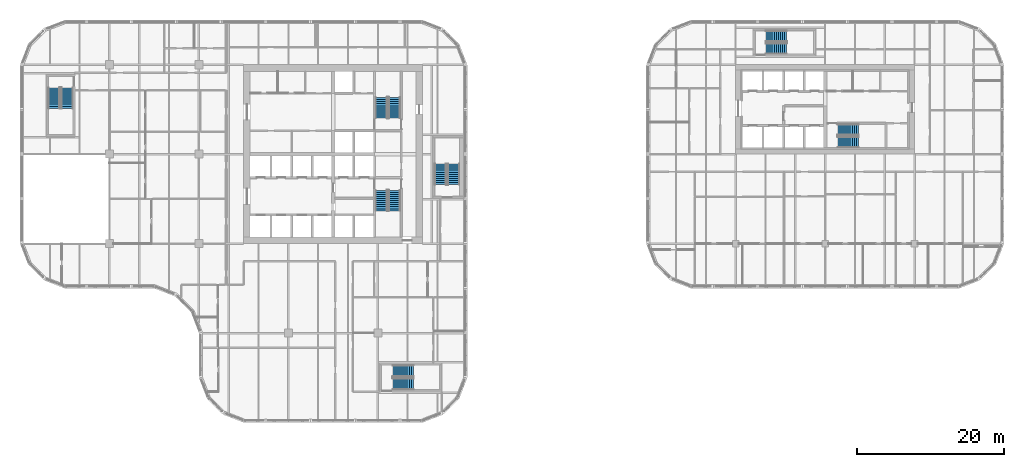
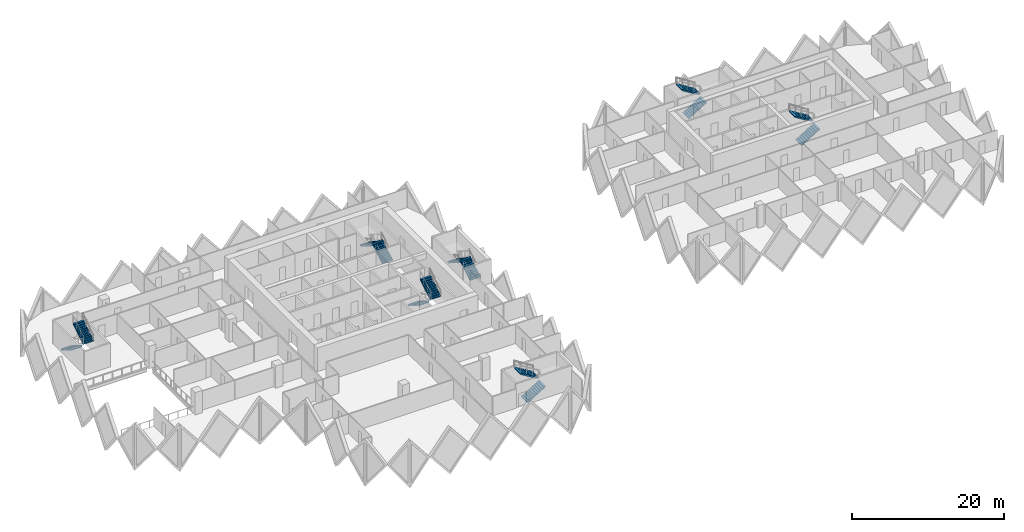
# One storey, part 17 of 19: 14 stair flights, 7 elements without a shape of their own.
"""IFC4 building model written with IfcOpenShell, lengths in metres."""

from ifc_helpers import new_model, si_unit, direction, frame, origin, place, context, subcontext, project, spatial, polyline, outline, extrude, material, type_object, element, aggregate, save


model = new_model("IFC4")

# Units and contexts
model_context = context("Model", 3, precision=1e-05, world=origin(), true_north=direction((0.0, 1.0)))
body_context = subcontext(model_context, "Body", "Model", "MODEL_VIEW")
ifc_project = project(units=[si_unit("LENGTHUNIT", "METRE"), si_unit("AREAUNIT", "SQUARE_METRE"), si_unit("VOLUMEUNIT", "CUBIC_METRE"), si_unit("PLANEANGLEUNIT", "RADIAN"), si_unit("MASSUNIT", "GRAM", prefix="KILO")], contexts=[model_context])

# Site, building, storey
site_placement = place(None, origin())
site = spatial("IfcSite", under=ifc_project, at=site_placement, CompositionType="ELEMENT")
building_placement = place(site_placement, origin())
building = spatial("IfcBuilding", under=site, at=building_placement, Name="Tessera Gate Towers", CompositionType="ELEMENT")
storey_placement = place(building_placement, frame((0.0, 0.0, 33.39990234375)))
storey = spatial("IfcBuildingStorey", under=building, at=storey_placement, Name="L07", CompositionType="ELEMENT", Elevation=33.39990234375)

# Stair, stair flights
ifc_material_1 = material(Name="Concrete C40/50", Category="concrete")
stair_type_1 = type_object("IfcStairType", Name="EXIT STAIR ST1 1600", PredefinedType="HALF_TURN_STAIR", material=ifc_material_1)
stair_1_placement = place(storey_placement, origin())
stair_1 = element("IfcStair", 1, at=stair_1_placement, inside=storey, type_object=stair_type_1, Name="L07 Protected Exit Stair ST1", PredefinedType="HALF_TURN_STAIR")
ifc_material_2 = material(Name="Concrete C40/50", Category="concrete")
stair_flight_type_1 = type_object("IfcStairFlightType", Name="EXIT STAIR FLIGHT ST1 1600", PredefinedType="STRAIGHT", material=ifc_material_2)
stair_flight_1_placement = place(storey_placement, frame((49.27490234375, 31.675048828125, 0.0), z_axis=(0.0, 0.0, 1.0), x_axis=(0.0, -1.0, 0.0)))
stair_flight_1 = element("IfcStairFlight", 2, at=stair_flight_1_placement, type_object=stair_flight_type_1, Name="ST1 flight 1", NumberOfRisers=11, NumberOfTreads=10, PredefinedType="STRAIGHT", RiserHeight=0.172727273, TreadLength=0.28, context=body_context, shape_type="SweptSolid", body=[
    extrude(outline(polyline([(0.0, 0.0), (0.0, 0.172607421875), (0.280029296875, 0.172607421875), (0.280029296875, 0.345458984375), (0.56005859375, 0.345458984375), (0.56005859375, 0.51806640625), (0.840087890625, 0.51806640625), (0.840087890625, 0.69091796875), (1.1201171875, 0.69091796875), (1.1201171875, 0.863525390625), (1.39990234375, 0.863525390625), (1.39990234375, 1.036376953125), (1.679931640625, 1.036376953125), (1.679931640625, 1.208984375), (1.9599609375, 1.208984375), (1.9599609375, 1.3818359375), (2.239990234375, 1.3818359375), (2.239990234375, 1.554443359375), (2.52001953125, 1.554443359375), (2.52001953125, 1.727294921875), (2.800048828125, 1.727294921875), (2.800048828125, 1.89990234375), (2.800048828125, 1.551025390625), (0.285400390625, 0.0), (0.0, 0.0)])), frame((0.0, 0.800048828125, 0.0), z_axis=(0.0, -1.0, 0.0), x_axis=(1.0, 0.0, 0.0)), (0.0, 0.0, 1.0), 1.60009765625),
])
stair_flight_2_placement = place(storey_placement, frame((51.074951171875, 28.875, 1.900146484375), z_axis=(0.0, 0.0, 1.0), x_axis=(0.0, 1.0, 0.0)))
stair_flight_2 = element("IfcStairFlight", 3, at=stair_flight_2_placement, type_object=stair_flight_type_1, Name="ST1 flight 2", NumberOfRisers=11, NumberOfTreads=10, PredefinedType="STRAIGHT", RiserHeight=0.172727273, TreadLength=0.28, context=body_context, shape_type="SweptSolid", body=[
    extrude(outline(polyline([(0.0, 0.0), (0.0, 0.172607421875), (0.280029296875, 0.172607421875), (0.280029296875, 0.345458984375), (0.56005859375, 0.345458984375), (0.56005859375, 0.51806640625), (0.840087890625, 0.51806640625), (0.840087890625, 0.69091796875), (1.1201171875, 0.69091796875), (1.1201171875, 0.863525390625), (1.39990234375, 0.863525390625), (1.39990234375, 1.036376953125), (1.679931640625, 1.036376953125), (1.679931640625, 1.208984375), (1.9599609375, 1.208984375), (1.9599609375, 1.3818359375), (2.239990234375, 1.3818359375), (2.239990234375, 1.554443359375), (2.52001953125, 1.554443359375), (2.52001953125, 1.727294921875), (2.800048828125, 1.727294921875), (2.800048828125, 1.89990234375), (2.800048828125, 1.551025390625), (0.285400390625, 0.0), (0.0, 0.0)])), frame((0.0, 0.800048828125, 0.0), z_axis=(0.0, -1.0, 0.0), x_axis=(1.0, 0.0, 0.0)), (0.0, 0.0, 1.0), 1.60009765625),
])
aggregate(stair_1, [stair_flight_1, stair_flight_2])

ifc_material_3 = material(Name="Concrete C40/50", Category="concrete")
stair_type_2 = type_object("IfcStairType", Name="EXIT STAIR ST2 1600", PredefinedType="HALF_TURN_STAIR", material=ifc_material_3)
stair_2_placement = place(storey_placement, origin())
stair_2 = element("IfcStair", 4, at=stair_2_placement, inside=storey, type_object=stair_type_2, Name="L07 Protected Exit Stair ST2", PredefinedType="HALF_TURN_STAIR")
ifc_material_4 = material(Name="Concrete C40/50", Category="concrete")
stair_flight_type_2 = type_object("IfcStairFlightType", Name="EXIT STAIR FLIGHT ST2 1600", PredefinedType="STRAIGHT", material=ifc_material_4)
stair_flight_3_placement = place(storey_placement, frame((51.074951171875, 41.52490234375, 0.0), z_axis=(0.0, 0.0, 1.0), x_axis=(0.0, 1.0, 0.0)))
stair_flight_3 = element("IfcStairFlight", 5, at=stair_flight_3_placement, type_object=stair_flight_type_2, Name="ST2 flight 1", NumberOfRisers=11, NumberOfTreads=10, PredefinedType="STRAIGHT", RiserHeight=0.172727273, TreadLength=0.28, context=body_context, shape_type="SweptSolid", body=[
    extrude(outline(polyline([(0.0, 0.0), (0.0, 0.172607421875), (0.280029296875, 0.172607421875), (0.280029296875, 0.345458984375), (0.56005859375, 0.345458984375), (0.56005859375, 0.51806640625), (0.840087890625, 0.51806640625), (0.840087890625, 0.69091796875), (1.1201171875, 0.69091796875), (1.1201171875, 0.863525390625), (1.39990234375, 0.863525390625), (1.39990234375, 1.036376953125), (1.679931640625, 1.036376953125), (1.679931640625, 1.208984375), (1.9599609375, 1.208984375), (1.9599609375, 1.3818359375), (2.239990234375, 1.3818359375), (2.239990234375, 1.554443359375), (2.52001953125, 1.554443359375), (2.52001953125, 1.727294921875), (2.800048828125, 1.727294921875), (2.800048828125, 1.89990234375), (2.800048828125, 1.551025390625), (0.285400390625, 0.0), (0.0, 0.0)])), frame((0.0, 0.800048828125, 0.0), z_axis=(0.0, -1.0, 0.0), x_axis=(1.0, 0.0, 0.0)), (0.0, 0.0, 1.0), 1.60009765625),
])
stair_flight_4_placement = place(storey_placement, frame((49.27490234375, 44.324951171875, 1.900146484375), z_axis=(0.0, 0.0, 1.0), x_axis=(0.0, -1.0, 0.0)))
stair_flight_4 = element("IfcStairFlight", 6, at=stair_flight_4_placement, type_object=stair_flight_type_2, Name="ST2 flight 2", NumberOfRisers=11, NumberOfTreads=10, PredefinedType="STRAIGHT", RiserHeight=0.172727273, TreadLength=0.28, context=body_context, shape_type="SweptSolid", body=[
    extrude(outline(polyline([(0.0, 0.0), (0.0, 0.172607421875), (0.280029296875, 0.172607421875), (0.280029296875, 0.345458984375), (0.56005859375, 0.345458984375), (0.56005859375, 0.51806640625), (0.840087890625, 0.51806640625), (0.840087890625, 0.69091796875), (1.1201171875, 0.69091796875), (1.1201171875, 0.863525390625), (1.39990234375, 0.863525390625), (1.39990234375, 1.036376953125), (1.679931640625, 1.036376953125), (1.679931640625, 1.208984375), (1.9599609375, 1.208984375), (1.9599609375, 1.3818359375), (2.239990234375, 1.3818359375), (2.239990234375, 1.554443359375), (2.52001953125, 1.554443359375), (2.52001953125, 1.727294921875), (2.800048828125, 1.727294921875), (2.800048828125, 1.89990234375), (2.800048828125, 1.551025390625), (0.285400390625, 0.0), (0.0, 0.0)])), frame((0.0, 0.800048828125, 0.0), z_axis=(0.0, -1.0, 0.0), x_axis=(1.0, 0.0, 0.0)), (0.0, 0.0, 1.0), 1.60009765625),
])
aggregate(stair_2, [stair_flight_3, stair_flight_4])

ifc_material_5 = material(Name="Concrete C40/50", Category="concrete")
stair_type_3 = type_object("IfcStairType", Name="EXIT STAIR ST3 1600", PredefinedType="HALF_TURN_STAIR", material=ifc_material_5)
stair_3_placement = place(storey_placement, origin())
stair_3 = element("IfcStair", 7, at=stair_3_placement, inside=storey, type_object=stair_type_3, Name="L07 West Exit Stair ST3", PredefinedType="HALF_TURN_STAIR")
ifc_material_6 = material(Name="Concrete C40/50", Category="concrete")
stair_flight_type_3 = type_object("IfcStairFlightType", Name="EXIT STAIR FLIGHT ST3 1600", PredefinedType="STRAIGHT", material=ifc_material_6)
stair_flight_5_placement = place(storey_placement, frame((4.64990234375, 45.64990234375, 0.0), z_axis=(0.0, 0.0, 1.0), x_axis=(0.0, -1.0, 0.0)))
stair_flight_5 = element("IfcStairFlight", 8, at=stair_flight_5_placement, type_object=stair_flight_type_3, Name="ST3 flight 1", NumberOfRisers=11, NumberOfTreads=10, PredefinedType="STRAIGHT", RiserHeight=0.172727273, TreadLength=0.28, context=body_context, shape_type="SweptSolid", body=[
    extrude(outline(polyline([(0.0, 0.0), (0.0, 0.172607421875), (0.280029296875, 0.172607421875), (0.280029296875, 0.345458984375), (0.56005859375, 0.345458984375), (0.56005859375, 0.51806640625), (0.840087890625, 0.51806640625), (0.840087890625, 0.69091796875), (1.1201171875, 0.69091796875), (1.1201171875, 0.863525390625), (1.39990234375, 0.863525390625), (1.39990234375, 1.036376953125), (1.679931640625, 1.036376953125), (1.679931640625, 1.208984375), (1.9599609375, 1.208984375), (1.9599609375, 1.3818359375), (2.239990234375, 1.3818359375), (2.239990234375, 1.554443359375), (2.52001953125, 1.554443359375), (2.52001953125, 1.727294921875), (2.800048828125, 1.727294921875), (2.800048828125, 1.89990234375), (2.800048828125, 1.551025390625), (0.285400390625, 0.0), (0.0, 0.0)])), frame((0.0, 0.800048828125, 0.0), z_axis=(0.0, -1.0, 0.0), x_axis=(1.0, 0.0, 0.0)), (0.0, 0.0, 1.0), 1.60009765625),
])
stair_flight_6_placement = place(storey_placement, frame((6.449951171875, 42.85009765625, 1.900146484375), z_axis=(0.0, 0.0, 1.0), x_axis=(0.0, 1.0, 0.0)))
stair_flight_6 = element("IfcStairFlight", 9, at=stair_flight_6_placement, type_object=stair_flight_type_3, Name="ST3 flight 2", NumberOfRisers=11, NumberOfTreads=10, PredefinedType="STRAIGHT", RiserHeight=0.172727273, TreadLength=0.28, context=body_context, shape_type="SweptSolid", body=[
    extrude(outline(polyline([(0.0, 0.0), (0.0, 0.172607421875), (0.280029296875, 0.172607421875), (0.280029296875, 0.345458984375), (0.56005859375, 0.345458984375), (0.56005859375, 0.51806640625), (0.840087890625, 0.51806640625), (0.840087890625, 0.69091796875), (1.1201171875, 0.69091796875), (1.1201171875, 0.863525390625), (1.39990234375, 0.863525390625), (1.39990234375, 1.036376953125), (1.679931640625, 1.036376953125), (1.679931640625, 1.208984375), (1.9599609375, 1.208984375), (1.9599609375, 1.3818359375), (2.239990234375, 1.3818359375), (2.239990234375, 1.554443359375), (2.52001953125, 1.554443359375), (2.52001953125, 1.727294921875), (2.800048828125, 1.727294921875), (2.800048828125, 1.89990234375), (2.800048828125, 1.551025390625), (0.285400390625, 0.0), (0.0, 0.0)])), frame((0.0, 0.800048828125, 0.0), z_axis=(0.0, -1.0, 0.0), x_axis=(1.0, 0.0, 0.0)), (0.0, 0.0, 1.0), 1.60009765625),
])
aggregate(stair_3, [stair_flight_5, stair_flight_6])

ifc_material_7 = material(Name="Concrete C40/50", Category="concrete")
stair_type_4 = type_object("IfcStairType", Name="EXIT STAIR ST4 1600", PredefinedType="HALF_TURN_STAIR", material=ifc_material_7)
stair_4_placement = place(storey_placement, origin())
stair_4 = element("IfcStair", 10, at=stair_4_placement, inside=storey, type_object=stair_type_4, Name="L07 South Exit Stair ST4", PredefinedType="HALF_TURN_STAIR")
ifc_material_8 = material(Name="Concrete C40/50", Category="concrete")
stair_flight_type_4 = type_object("IfcStairFlightType", Name="EXIT STAIR FLIGHT ST4 1600", PredefinedType="STRAIGHT", material=ifc_material_8)
stair_flight_7_placement = place(storey_placement, frame((50.85009765625, 5.25, 0.0), z_axis=(0.0, 0.0, 1.0), x_axis=(1.0, 0.0, 0.0)))
stair_flight_7 = element("IfcStairFlight", 11, at=stair_flight_7_placement, type_object=stair_flight_type_4, Name="ST4 flight 1", NumberOfRisers=11, NumberOfTreads=10, PredefinedType="STRAIGHT", RiserHeight=0.172727273, TreadLength=0.28, context=body_context, shape_type="SweptSolid", body=[
    extrude(outline(polyline([(0.0, 0.0), (0.0, 0.172607421875), (0.280029296875, 0.172607421875), (0.280029296875, 0.345458984375), (0.56005859375, 0.345458984375), (0.56005859375, 0.51806640625), (0.840087890625, 0.51806640625), (0.840087890625, 0.69091796875), (1.1201171875, 0.69091796875), (1.1201171875, 0.863525390625), (1.39990234375, 0.863525390625), (1.39990234375, 1.036376953125), (1.679931640625, 1.036376953125), (1.679931640625, 1.208984375), (1.9599609375, 1.208984375), (1.9599609375, 1.3818359375), (2.239990234375, 1.3818359375), (2.239990234375, 1.554443359375), (2.52001953125, 1.554443359375), (2.52001953125, 1.727294921875), (2.800048828125, 1.727294921875), (2.800048828125, 1.89990234375), (2.800048828125, 1.551025390625), (0.285400390625, 0.0), (0.0, 0.0)])), frame((0.0, 0.800048828125, 0.0), z_axis=(0.0, -1.0, 0.0), x_axis=(1.0, 0.0, 0.0)), (0.0, 0.0, 1.0), 1.60009765625),
])
stair_flight_8_placement = place(storey_placement, frame((53.64990234375, 7.050048828125, 1.900146484375), z_axis=(0.0, 0.0, 1.0), x_axis=(-1.0, 0.0, 0.0)))
stair_flight_8 = element("IfcStairFlight", 12, at=stair_flight_8_placement, type_object=stair_flight_type_4, Name="ST4 flight 2", NumberOfRisers=11, NumberOfTreads=10, PredefinedType="STRAIGHT", RiserHeight=0.172727273, TreadLength=0.28, context=body_context, shape_type="SweptSolid", body=[
    extrude(outline(polyline([(0.0, 0.0), (0.0, 0.172607421875), (0.280029296875, 0.172607421875), (0.280029296875, 0.345458984375), (0.56005859375, 0.345458984375), (0.56005859375, 0.51806640625), (0.840087890625, 0.51806640625), (0.840087890625, 0.69091796875), (1.1201171875, 0.69091796875), (1.1201171875, 0.863525390625), (1.39990234375, 0.863525390625), (1.39990234375, 1.036376953125), (1.679931640625, 1.036376953125), (1.679931640625, 1.208984375), (1.9599609375, 1.208984375), (1.9599609375, 1.3818359375), (2.239990234375, 1.3818359375), (2.239990234375, 1.554443359375), (2.52001953125, 1.554443359375), (2.52001953125, 1.727294921875), (2.800048828125, 1.727294921875), (2.800048828125, 1.89990234375), (2.800048828125, 1.551025390625), (0.285400390625, 0.0), (0.0, 0.0)])), frame((0.0, 0.800048828125, 0.0), z_axis=(0.0, -1.0, 0.0), x_axis=(1.0, 0.0, 0.0)), (0.0, 0.0, 1.0), 1.60009765625),
])
aggregate(stair_4, [stair_flight_7, stair_flight_8])

ifc_material_9 = material(Name="Concrete C40/50", Category="concrete")
stair_type_5 = type_object("IfcStairType", Name="EXIT STAIR ST5 1600", PredefinedType="HALF_TURN_STAIR", material=ifc_material_9)
stair_5_placement = place(storey_placement, origin())
stair_5 = element("IfcStair", 13, at=stair_5_placement, inside=storey, type_object=stair_type_5, Name="L07 East Exit Stair ST5", PredefinedType="HALF_TURN_STAIR")
ifc_material_10 = material(Name="Concrete C40/50", Category="concrete")
stair_flight_type_5 = type_object("IfcStairFlightType", Name="EXIT STAIR FLIGHT ST5 1600", PredefinedType="STRAIGHT", material=ifc_material_10)
stair_flight_9_placement = place(storey_placement, frame((59.14990234375, 32.449951171875, 0.0), z_axis=(0.0, 0.0, 1.0), x_axis=(0.0, 1.0, 0.0)))
stair_flight_9 = element("IfcStairFlight", 14, at=stair_flight_9_placement, type_object=stair_flight_type_5, Name="ST5 flight 1", NumberOfRisers=11, NumberOfTreads=10, PredefinedType="STRAIGHT", RiserHeight=0.172727273, TreadLength=0.28, context=body_context, shape_type="SweptSolid", body=[
    extrude(outline(polyline([(0.0, 0.0), (0.0, 0.172607421875), (0.280029296875, 0.172607421875), (0.280029296875, 0.345458984375), (0.56005859375, 0.345458984375), (0.56005859375, 0.51806640625), (0.840087890625, 0.51806640625), (0.840087890625, 0.69091796875), (1.1201171875, 0.69091796875), (1.1201171875, 0.863525390625), (1.39990234375, 0.863525390625), (1.39990234375, 1.036376953125), (1.679931640625, 1.036376953125), (1.679931640625, 1.208984375), (1.9599609375, 1.208984375), (1.9599609375, 1.3818359375), (2.239990234375, 1.3818359375), (2.239990234375, 1.554443359375), (2.52001953125, 1.554443359375), (2.52001953125, 1.727294921875), (2.800048828125, 1.727294921875), (2.800048828125, 1.89990234375), (2.800048828125, 1.551025390625), (0.285400390625, 0.0), (0.0, 0.0)])), frame((0.0, 0.800048828125, 0.0), z_axis=(0.0, -1.0, 0.0), x_axis=(1.0, 0.0, 0.0)), (0.0, 0.0, 1.0), 1.60009765625),
])
stair_flight_10_placement = place(storey_placement, frame((57.35009765625, 35.25, 1.900146484375), z_axis=(0.0, 0.0, 1.0), x_axis=(0.0, -1.0, 0.0)))
stair_flight_10 = element("IfcStairFlight", 15, at=stair_flight_10_placement, type_object=stair_flight_type_5, Name="ST5 flight 2", NumberOfRisers=11, NumberOfTreads=10, PredefinedType="STRAIGHT", RiserHeight=0.172727273, TreadLength=0.28, context=body_context, shape_type="SweptSolid", body=[
    extrude(outline(polyline([(0.0, 0.0), (0.0, 0.172607421875), (0.280029296875, 0.172607421875), (0.280029296875, 0.345458984375), (0.56005859375, 0.345458984375), (0.56005859375, 0.51806640625), (0.840087890625, 0.51806640625), (0.840087890625, 0.69091796875), (1.1201171875, 0.69091796875), (1.1201171875, 0.863525390625), (1.39990234375, 0.863525390625), (1.39990234375, 1.036376953125), (1.679931640625, 1.036376953125), (1.679931640625, 1.208984375), (1.9599609375, 1.208984375), (1.9599609375, 1.3818359375), (2.239990234375, 1.3818359375), (2.239990234375, 1.554443359375), (2.52001953125, 1.554443359375), (2.52001953125, 1.727294921875), (2.800048828125, 1.727294921875), (2.800048828125, 1.89990234375), (2.800048828125, 1.551025390625), (0.285400390625, 0.0), (0.0, 0.0)])), frame((0.0, 0.800048828125, 0.0), z_axis=(0.0, -1.0, 0.0), x_axis=(1.0, 0.0, 0.0)), (0.0, 0.0, 1.0), 1.60009765625),
])
aggregate(stair_5, [stair_flight_9, stair_flight_10])

ifc_material_11 = material(Name="Concrete C40/50", Category="concrete")
stair_type_6 = type_object("IfcStairType", Name="EXIT STAIR ST6 1500", PredefinedType="HALF_TURN_STAIR", material=ifc_material_11)
stair_6_placement = place(storey_placement, origin())
stair_6 = element("IfcStair", 16, at=stair_6_placement, inside=storey, type_object=stair_type_6, Name="L07 Protected Exit Stair ST6", PredefinedType="HALF_TURN_STAIR")
ifc_material_12 = material(Name="Concrete C40/50", Category="concrete")
stair_flight_type_6 = type_object("IfcStairFlightType", Name="EXIT STAIR FLIGHT ST6 1500", PredefinedType="STRAIGHT", material=ifc_material_12)
stair_flight_11_placement = place(storey_placement, frame((111.550048828125, 38.25, 0.0), z_axis=(0.0, 0.0, 1.0), x_axis=(1.0, 0.0, 0.0)))
stair_flight_11 = element("IfcStairFlight", 17, at=stair_flight_11_placement, type_object=stair_flight_type_6, Name="ST6 flight 1", NumberOfRisers=11, NumberOfTreads=10, PredefinedType="STRAIGHT", RiserHeight=0.172727273, TreadLength=0.28, context=body_context, shape_type="SweptSolid", body=[
    extrude(outline(polyline([(0.0, 0.0), (0.0, 0.172607421875), (0.280029296875, 0.172607421875), (0.280029296875, 0.345458984375), (0.56005859375, 0.345458984375), (0.56005859375, 0.51806640625), (0.840087890625, 0.51806640625), (0.840087890625, 0.69091796875), (1.1201171875, 0.69091796875), (1.1201171875, 0.863525390625), (1.39990234375, 0.863525390625), (1.39990234375, 1.036376953125), (1.679931640625, 1.036376953125), (1.679931640625, 1.208984375), (1.9599609375, 1.208984375), (1.9599609375, 1.3818359375), (2.239990234375, 1.3818359375), (2.239990234375, 1.554443359375), (2.52001953125, 1.554443359375), (2.52001953125, 1.727294921875), (2.800048828125, 1.727294921875), (2.800048828125, 1.89990234375), (2.800048828125, 1.551025390625), (0.285400390625, 0.0), (0.0, 0.0)])), frame((0.0, 0.75, 0.0), z_axis=(0.0, -1.0, 0.0), x_axis=(1.0, 0.0, 0.0)), (0.0, 0.0, 1.0), 1.5),
])
stair_flight_12_placement = place(storey_placement, frame((114.35009765625, 39.949951171875, 1.900146484375), z_axis=(0.0, 0.0, 1.0), x_axis=(-1.0, 0.0, 0.0)))
stair_flight_12 = element("IfcStairFlight", 18, at=stair_flight_12_placement, type_object=stair_flight_type_6, Name="ST6 flight 2", NumberOfRisers=11, NumberOfTreads=10, PredefinedType="STRAIGHT", RiserHeight=0.172727273, TreadLength=0.28, context=body_context, shape_type="SweptSolid", body=[
    extrude(outline(polyline([(0.0, 0.0), (0.0, 0.172607421875), (0.280029296875, 0.172607421875), (0.280029296875, 0.345458984375), (0.56005859375, 0.345458984375), (0.56005859375, 0.51806640625), (0.840087890625, 0.51806640625), (0.840087890625, 0.69091796875), (1.1201171875, 0.69091796875), (1.1201171875, 0.863525390625), (1.39990234375, 0.863525390625), (1.39990234375, 1.036376953125), (1.679931640625, 1.036376953125), (1.679931640625, 1.208984375), (1.9599609375, 1.208984375), (1.9599609375, 1.3818359375), (2.239990234375, 1.3818359375), (2.239990234375, 1.554443359375), (2.52001953125, 1.554443359375), (2.52001953125, 1.727294921875), (2.800048828125, 1.727294921875), (2.800048828125, 1.89990234375), (2.800048828125, 1.551025390625), (0.285400390625, 0.0), (0.0, 0.0)])), frame((0.0, 0.75, 0.0), z_axis=(0.0, -1.0, 0.0), x_axis=(1.0, 0.0, 0.0)), (0.0, 0.0, 1.0), 1.5),
])
aggregate(stair_6, [stair_flight_11, stair_flight_12])

ifc_material_13 = material(Name="Concrete C40/50", Category="concrete")
stair_type_7 = type_object("IfcStairType", Name="EXIT STAIR ST7 1500", PredefinedType="HALF_TURN_STAIR", material=ifc_material_13)
stair_7_placement = place(storey_placement, origin())
stair_7 = element("IfcStair", 19, at=stair_7_placement, inside=storey, type_object=stair_type_7, Name="L07 North Exit Stair ST7", PredefinedType="HALF_TURN_STAIR")
ifc_material_14 = material(Name="Concrete C40/50", Category="concrete")
stair_flight_type_7 = type_object("IfcStairFlightType", Name="EXIT STAIR FLIGHT ST7 1500", PredefinedType="STRAIGHT", material=ifc_material_14)
stair_flight_13_placement = place(storey_placement, frame((101.75, 51.0, 0.0), z_axis=(0.0, 0.0, 1.0), x_axis=(1.0, 0.0, 0.0)))
stair_flight_13 = element("IfcStairFlight", 20, at=stair_flight_13_placement, type_object=stair_flight_type_7, Name="ST7 flight 1", NumberOfRisers=11, NumberOfTreads=10, PredefinedType="STRAIGHT", RiserHeight=0.172727273, TreadLength=0.28, context=body_context, shape_type="SweptSolid", body=[
    extrude(outline(polyline([(0.0, 0.0), (0.0, 0.172607421875), (0.280029296875, 0.172607421875), (0.280029296875, 0.345458984375), (0.56005859375, 0.345458984375), (0.56005859375, 0.51806640625), (0.840087890625, 0.51806640625), (0.840087890625, 0.69091796875), (1.1201171875, 0.69091796875), (1.1201171875, 0.863525390625), (1.39990234375, 0.863525390625), (1.39990234375, 1.036376953125), (1.679931640625, 1.036376953125), (1.679931640625, 1.208984375), (1.9599609375, 1.208984375), (1.9599609375, 1.3818359375), (2.239990234375, 1.3818359375), (2.239990234375, 1.554443359375), (2.52001953125, 1.554443359375), (2.52001953125, 1.727294921875), (2.800048828125, 1.727294921875), (2.800048828125, 1.89990234375), (2.800048828125, 1.551025390625), (0.285400390625, 0.0), (0.0, 0.0)])), frame((0.0, 0.75, 0.0), z_axis=(0.0, -1.0, 0.0), x_axis=(1.0, 0.0, 0.0)), (0.0, 0.0, 1.0), 1.5),
])
stair_flight_14_placement = place(storey_placement, frame((104.550048828125, 52.699951171875, 1.900146484375), z_axis=(0.0, 0.0, 1.0), x_axis=(-1.0, 0.0, 0.0)))
stair_flight_14 = element("IfcStairFlight", 21, at=stair_flight_14_placement, type_object=stair_flight_type_7, Name="ST7 flight 2", NumberOfRisers=11, NumberOfTreads=10, PredefinedType="STRAIGHT", RiserHeight=0.172727273, TreadLength=0.28, context=body_context, shape_type="SweptSolid", body=[
    extrude(outline(polyline([(0.0, 0.0), (0.0, 0.172607421875), (0.280029296875, 0.172607421875), (0.280029296875, 0.345458984375), (0.56005859375, 0.345458984375), (0.56005859375, 0.51806640625), (0.840087890625, 0.51806640625), (0.840087890625, 0.69091796875), (1.1201171875, 0.69091796875), (1.1201171875, 0.863525390625), (1.39990234375, 0.863525390625), (1.39990234375, 1.036376953125), (1.679931640625, 1.036376953125), (1.679931640625, 1.208984375), (1.9599609375, 1.208984375), (1.9599609375, 1.3818359375), (2.239990234375, 1.3818359375), (2.239990234375, 1.554443359375), (2.52001953125, 1.554443359375), (2.52001953125, 1.727294921875), (2.800048828125, 1.727294921875), (2.800048828125, 1.89990234375), (2.800048828125, 1.551025390625), (0.285400390625, 0.0), (0.0, 0.0)])), frame((0.0, 0.75, 0.0), z_axis=(0.0, -1.0, 0.0), x_axis=(1.0, 0.0, 0.0)), (0.0, 0.0, 1.0), 1.5),
])
aggregate(stair_7, [stair_flight_13, stair_flight_14])

save(model, "model.ifc")
